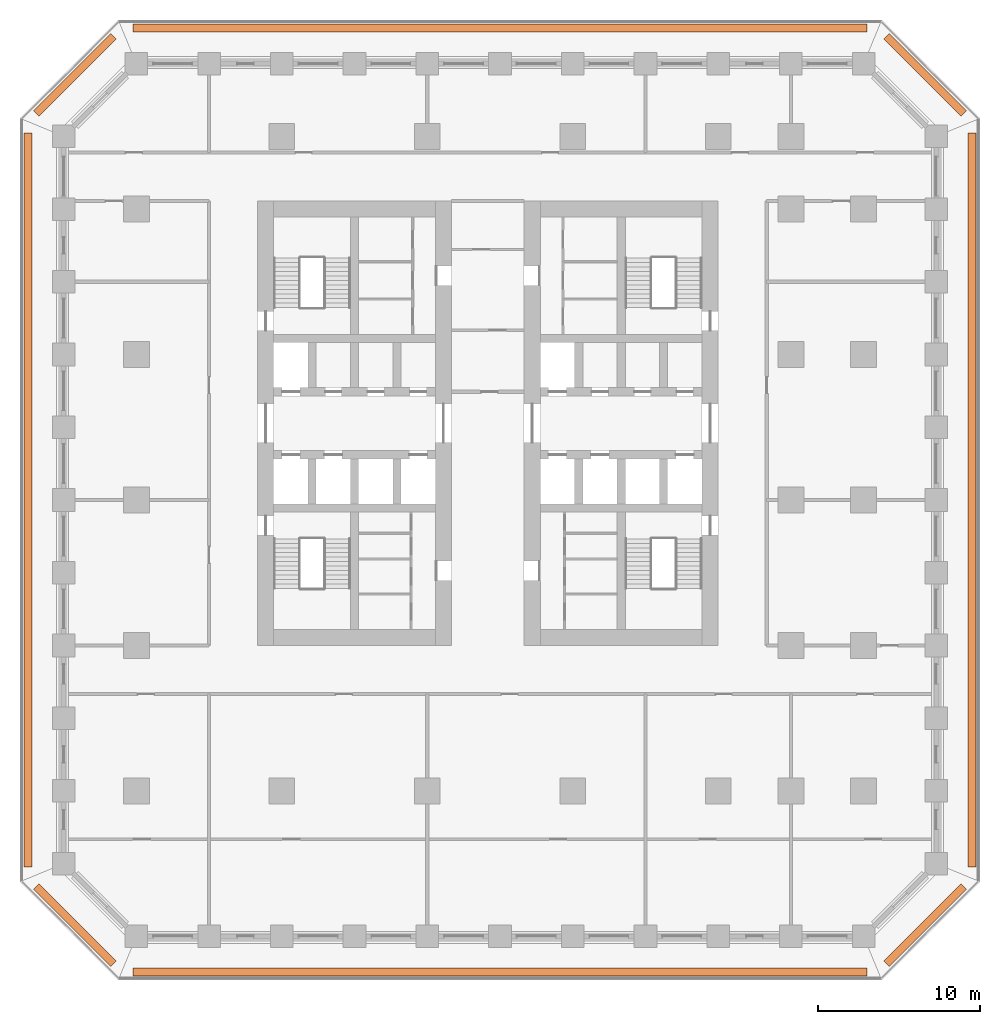
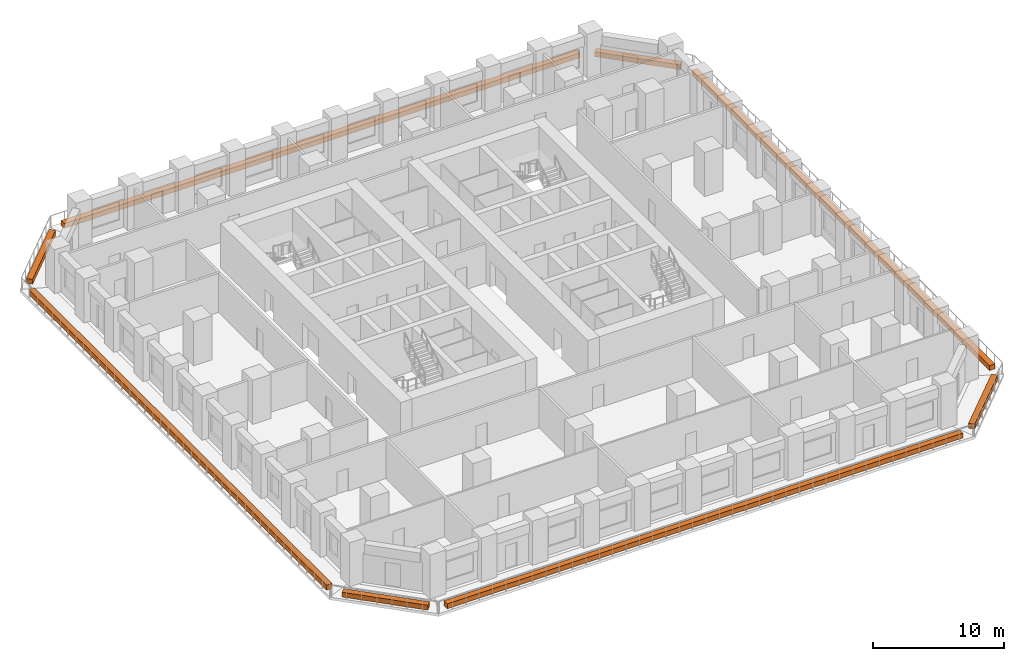
# One storey, part 11 of 11: 8 proxies.
"""IFC4 building model written with IfcOpenShell, lengths in metres."""

from ifc_helpers import new_model, si_unit, direction, frame, origin, origin_2d, place, context, subcontext, project, spatial, rectangle, extrude, material, type_object, element, save


model = new_model("IFC4")

# Units and contexts
model_context = context("Model", 3, precision=1e-05, world=origin(), true_north=direction((0.0, 1.0)))
body_context = subcontext(model_context, "Body", "Model", "MODEL_VIEW")
ifc_project = project(units=[si_unit("LENGTHUNIT", "METRE"), si_unit("AREAUNIT", "SQUARE_METRE"), si_unit("VOLUMEUNIT", "CUBIC_METRE"), si_unit("PLANEANGLEUNIT", "RADIAN"), si_unit("MASSUNIT", "GRAM", prefix="KILO")], contexts=[model_context])

# Site, building, storey
site_placement = place(None, origin())
site = spatial("IfcSite", under=ifc_project, at=site_placement, CompositionType="ELEMENT")
building_placement = place(site_placement, origin())
building = spatial("IfcBuilding", under=site, at=building_placement, Name="Corbel Stack Research Tower", CompositionType="ELEMENT")
storey_placement = place(building_placement, frame((0.0, 0.0, 46.0)))
storey = spatial("IfcBuildingStorey", under=building, at=storey_placement, Name="L10", CompositionType="ELEMENT", Elevation=46.0)

# Proxies
ifc_material = material(Name="Concrete C45/55", Category="concrete")
building_element_proxy_type = type_object("IfcBuildingElementProxyType", Name="Planter box", PredefinedType="USERDEFINED", material=ifc_material)
proxy_1_placement = place(storey_placement, frame((4.5, -29.199951171875, 0.0), z_axis=(0.0, 0.0, 1.0), x_axis=(1.0, 0.0, 0.0)))
element("IfcBuildingElementProxy", 1, at=proxy_1_placement, inside=storey, type_object=building_element_proxy_type, Name="Planter L10 S", ObjectType="PLANTER", PredefinedType="USERDEFINED", context=body_context, shape_type="SweptSolid", body=[
    extrude(rectangle(XDim=45.41064453125, YDim=0.5, at=origin_2d()), origin(), (0.0, 0.0, 1.0), 0.449951171875),
])
proxy_2_placement = place(storey_placement, frame((30.8056640625, -26.3056640625, 0.0), z_axis=(0.0, 0.0, 1.0), x_axis=(0.707106781187, 0.707106781187, 0.0)))
element("IfcBuildingElementProxy", 2, at=proxy_2_placement, inside=storey, type_object=building_element_proxy_type, Name="Planter L10 SE", ObjectType="PLANTER", PredefinedType="USERDEFINED", context=body_context, shape_type="SweptSolid", body=[
    extrude(rectangle(XDim=6.774658203125, YDim=0.5, at=origin_2d()), origin(), (0.0, 0.0, 1.0), 0.449951171875),
])
proxy_3_placement = place(storey_placement, frame((33.699951171875, 0.0, 0.0), z_axis=(0.0, 0.0, 1.0), x_axis=(0.0, 1.0, 0.0)))
element("IfcBuildingElementProxy", 3, at=proxy_3_placement, inside=storey, type_object=building_element_proxy_type, Name="Planter L10 E", ObjectType="PLANTER", PredefinedType="USERDEFINED", context=body_context, shape_type="SweptSolid", body=[
    extrude(rectangle(XDim=45.41064453125, YDim=0.5, at=origin_2d()), origin(), (0.0, 0.0, 1.0), 0.449951171875),
])
proxy_4_placement = place(storey_placement, frame((30.8056640625, 26.3056640625, 0.0), z_axis=(0.0, 0.0, 1.0), x_axis=(-0.707106781187, 0.707106781187, 0.0)))
element("IfcBuildingElementProxy", 4, at=proxy_4_placement, inside=storey, type_object=building_element_proxy_type, Name="Planter L10 NE", ObjectType="PLANTER", PredefinedType="USERDEFINED", context=body_context, shape_type="SweptSolid", body=[
    extrude(rectangle(XDim=6.774658203125, YDim=0.5, at=origin_2d()), origin(), (0.0, 0.0, 1.0), 0.449951171875),
])
proxy_5_placement = place(storey_placement, frame((4.5, 29.199951171875, 0.0), z_axis=(0.0, 0.0, 1.0), x_axis=(-1.0, 0.0, 0.0)))
element("IfcBuildingElementProxy", 5, at=proxy_5_placement, inside=storey, type_object=building_element_proxy_type, Name="Planter L10 N", ObjectType="PLANTER", PredefinedType="USERDEFINED", context=body_context, shape_type="SweptSolid", body=[
    extrude(rectangle(XDim=45.41064453125, YDim=0.5, at=origin_2d()), origin(), (0.0, 0.0, 1.0), 0.449951171875),
])
proxy_6_placement = place(storey_placement, frame((-21.8056640625, 26.3056640625, 0.0), z_axis=(0.0, 0.0, 1.0), x_axis=(-0.707106781187, -0.707106781187, 0.0)))
element("IfcBuildingElementProxy", 6, at=proxy_6_placement, inside=storey, type_object=building_element_proxy_type, Name="Planter L10 NW", ObjectType="PLANTER", PredefinedType="USERDEFINED", context=body_context, shape_type="SweptSolid", body=[
    extrude(rectangle(XDim=6.774658203125, YDim=0.5, at=origin_2d()), origin(), (0.0, 0.0, 1.0), 0.449951171875),
])
proxy_7_placement = place(storey_placement, frame((-24.699951171875, 0.0, 0.0), z_axis=(0.0, 0.0, 1.0), x_axis=(0.0, -1.0, 0.0)))
element("IfcBuildingElementProxy", 7, at=proxy_7_placement, inside=storey, type_object=building_element_proxy_type, Name="Planter L10 W", ObjectType="PLANTER", PredefinedType="USERDEFINED", context=body_context, shape_type="SweptSolid", body=[
    extrude(rectangle(XDim=45.41064453125, YDim=0.5, at=origin_2d()), origin(), (0.0, 0.0, 1.0), 0.449951171875),
])
proxy_8_placement = place(storey_placement, frame((-21.8056640625, -26.3056640625, 0.0), z_axis=(0.0, 0.0, 1.0), x_axis=(0.707106781187, -0.707106781187, 0.0)))
element("IfcBuildingElementProxy", 8, at=proxy_8_placement, inside=storey, type_object=building_element_proxy_type, Name="Planter L10 SW", ObjectType="PLANTER", PredefinedType="USERDEFINED", context=body_context, shape_type="SweptSolid", body=[
    extrude(rectangle(XDim=6.774658203125, YDim=0.5, at=origin_2d()), origin(), (0.0, 0.0, 1.0), 0.449951171875),
])

save(model, "model.ifc")
